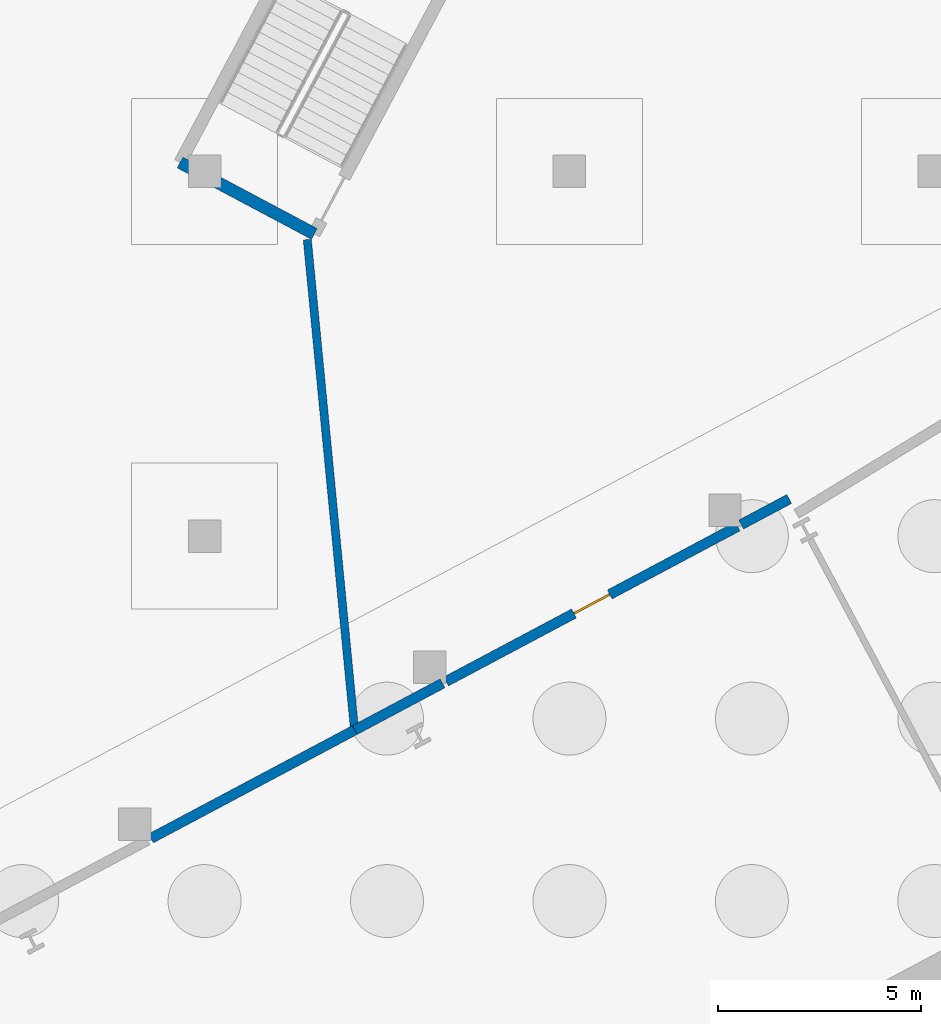
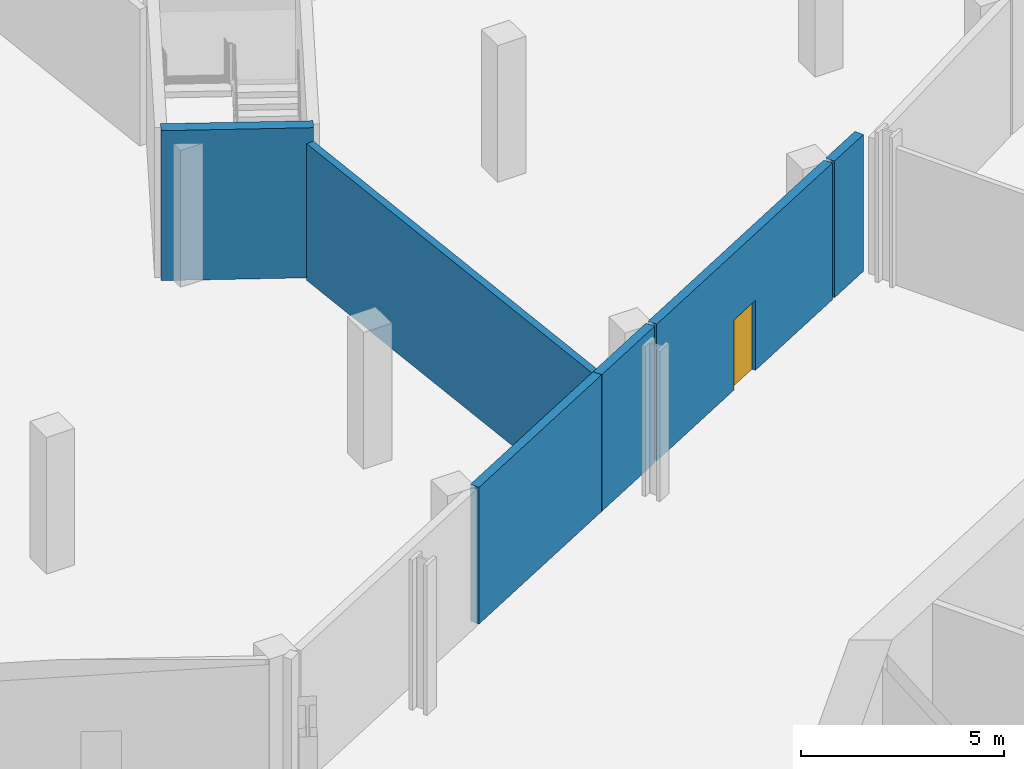
# One storey, part 17 of 29: 6 walls, 1 door, 1 opening.
"""IFC4 building model written with IfcOpenShell, lengths in metres."""

from ifc_helpers import new_model, si_unit, direction, frame, frame_2d, origin, place, context, subcontext, project, spatial, rectangle, extrude, material, layer, layer_set, type_object, element, fill, save


model = new_model("IFC4")

# Units and contexts
model_context = context("Model", 3, precision=1e-05, world=origin(), true_north=direction((0.0, 1.0)))
body_context = subcontext(model_context, "Body", "Model", "MODEL_VIEW")
ifc_project = project(units=[si_unit("LENGTHUNIT", "METRE"), si_unit("AREAUNIT", "SQUARE_METRE"), si_unit("VOLUMEUNIT", "CUBIC_METRE"), si_unit("PLANEANGLEUNIT", "RADIAN"), si_unit("MASSUNIT", "GRAM", prefix="KILO")], contexts=[model_context])

# Site, building, storey
site_placement = place(None, origin())
site = spatial("IfcSite", under=ifc_project, at=site_placement, CompositionType="ELEMENT")
building_placement = place(site_placement, origin())
building = spatial("IfcBuilding", under=site, at=building_placement, Name="Cormorant Relay Tower", CompositionType="ELEMENT")
storey_placement = place(building_placement, frame((0.0, 0.0, -9.0)))
storey = spatial("IfcBuildingStorey", under=building, at=storey_placement, Name="B2", CompositionType="ELEMENT", Elevation=-9.0)

# Wall
ifc_material_1 = material(Name="Concrete masonry 20 MPa", Category="masonry")
ifc_layer_1 = layer(ifc_material_1, 0.25)
ifc_layer_set_1 = layer_set([ifc_layer_1], Name="Fire separation wall 250")
wall_type_1 = type_object("IfcWallType", Name="Fire separation wall 250", PredefinedType="SOLIDWALL", material=ifc_layer_set_1)
wall_1_placement = place(storey_placement, frame((12.705810546875, 31.21923828125, 0.0), z_axis=(0.0, 0.0, 1.0), x_axis=(0.882909290673, 0.469543591633, 0.0)))
element("IfcWall", 1, at=wall_1_placement, inside=storey, type_object=wall_type_1, Name="Partition", PredefinedType="SOLIDWALL", context=body_context, shape_type="SweptSolid", body=[
    extrude(rectangle(XDim=2.451171875, YDim=0.25, at=frame_2d((1.2255859375, 0.0))), origin(), (0.0, 0.0, 1.0), 4.10009765625),
])

# Wall, opening, door
wall_2_placement = place(storey_placement, frame((14.95703125, 32.416259765625, 0.0), z_axis=(0.0, 0.0, 1.0), x_axis=(0.882948003129, 0.46947079118, 0.0)))
wall_2 = element("IfcWall", 2, at=wall_2_placement, inside=storey, type_object=wall_type_1, Name="Partition", PredefinedType="SOLIDWALL", context=body_context, shape_type="SweptSolid", body=[
    extrude(rectangle(XDim=8.144775390625, YDim=0.25, at=frame_2d((4.072265625, 0.0))), origin(), (0.0, 0.0, 1.0), 4.10009765625),
])
opening_placement = place(wall_2_placement, frame((3.572021484375, 0.0, 0.0)))
opening = element("IfcOpeningElement", 3, at=opening_placement, cuts=wall_2, Name="Opening PD1-011", PredefinedType="OPENING", context=body_context, shape_type="SweptSolid", body=[
    extrude(rectangle(XDim=1.0, YDim=2.10009765625, at=frame_2d((0.5, 1.050048828125))), frame((0.0, 0.135009765625, 0.0), z_axis=(0.0, -1.0, 0.0), x_axis=(1.0, 0.0, 0.0)), (0.0, 0.0, 1.0), 0.27001953125),
])
ifc_material_2 = material(Name="Steel door leaf", Category="steel")
door_type = type_object("IfcDoorType", Name="Door single 1000", OperationType="SINGLE_SWING_LEFT", PredefinedType="DOOR", material=ifc_material_2)
door_placement = place(opening_placement, origin())
door = element("IfcDoor", 4, at=door_placement, inside=storey, type_object=door_type, Name="Door", OperationType="SINGLE_SWING_LEFT", OverallHeight=2.10009765625, OverallWidth=1.0, PredefinedType="DOOR", context=body_context, shape_type="SweptSolid", body=[
    extrude(rectangle(XDim=1.0, YDim=2.10009765625, at=frame_2d((0.5, 1.050048828125))), frame((0.0, 0.02490234375, 0.0), z_axis=(0.0, -1.0, 0.0), x_axis=(1.0, 0.0, 0.0)), (0.0, 0.0, 1.0), 0.050048828125),
])
fill(opening, door)

# Walls
wall_3_placement = place(storey_placement, frame((22.236083984375, 36.28662109375, 0.0), z_axis=(0.0, 0.0, 1.0), x_axis=(0.882931801402, 0.469501260993, 0.0)))
element("IfcWall", 5, at=wall_3_placement, inside=storey, type_object=wall_type_1, Name="Partition", PredefinedType="SOLIDWALL", context=body_context, shape_type="SweptSolid", body=[
    extrude(rectangle(XDim=1.341064453125, YDim=0.25, at=frame_2d((0.67041015625, 0.0))), origin(), (0.0, 0.0, 1.0), 4.10009765625),
])
wall_4_placement = place(storey_placement, frame((7.678955078125, 28.54638671875, 0.0), z_axis=(0.0, 0.0, 1.0), x_axis=(0.882942382041, 0.469481362779, 0.0)))
element("IfcWall", 6, at=wall_4_placement, inside=storey, type_object=wall_type_1, Name="Partition", PredefinedType="SOLIDWALL", context=body_context, shape_type="SweptSolid", body=[
    extrude(rectangle(XDim=5.691650390625, YDim=0.25, at=frame_2d((2.845703125, 0.0))), origin(), (0.0, 0.0, 1.0), 4.10009765625),
])
ifc_material_3 = material(Name="Concrete masonry 20 MPa", Category="masonry")
ifc_layer_2 = layer(ifc_material_3, 0.199951171875)
ifc_layer_set_2 = layer_set([ifc_layer_2], Name="Plant room wall 200")
wall_type_2 = type_object("IfcWallType", Name="Plant room wall 200", PredefinedType="PARTITIONING", material=ifc_layer_set_2)
wall_5_placement = place(storey_placement, frame((11.534423828125, 43.31494140625, 0.0), z_axis=(0.0, 0.0, 1.0), x_axis=(0.095933245663, -0.995387769855, 0.0)))
element("IfcWall", 7, at=wall_5_placement, inside=storey, type_object=wall_type_2, Name="Partition", PredefinedType="PARTITIONING", context=body_context, shape_type="SweptSolid", body=[
    extrude(rectangle(XDim=12.154541015625, YDim=0.199951171875, at=frame_2d((6.0771484375, 0.0))), origin(), (0.0, 0.0, 1.0), 4.10009765625),
])
ifc_material_4 = material(Name="Concrete 50 MPa", Category="concrete")
ifc_layer_3 = layer(ifc_material_4, 0.300048828125)
ifc_layer_set_3 = layer_set([ifc_layer_3], Name="Remote stair wall 300")
wall_type_3 = type_object("IfcWallType", Name="Remote stair wall 300", PredefinedType="SHEAR", material=ifc_layer_set_3)
wall_6_placement = place(storey_placement, frame((11.707275390625, 43.45556640625, 0.0), z_axis=(0.0, 0.0, 1.0), x_axis=(-0.882948761726, 0.46946936446, 0.0)))
element("IfcWall", 8, at=wall_6_placement, inside=storey, type_object=wall_type_3, Name="B2 exit stair RN1 wall", PredefinedType="SHEAR", context=body_context, shape_type="SweptSolid", body=[
    extrude(rectangle(XDim=3.75, YDim=0.300048828125, at=frame_2d((1.875, 0.0))), origin(), (0.0, 0.0, 1.0), 4.5),
])

save(model, "model.ifc")
